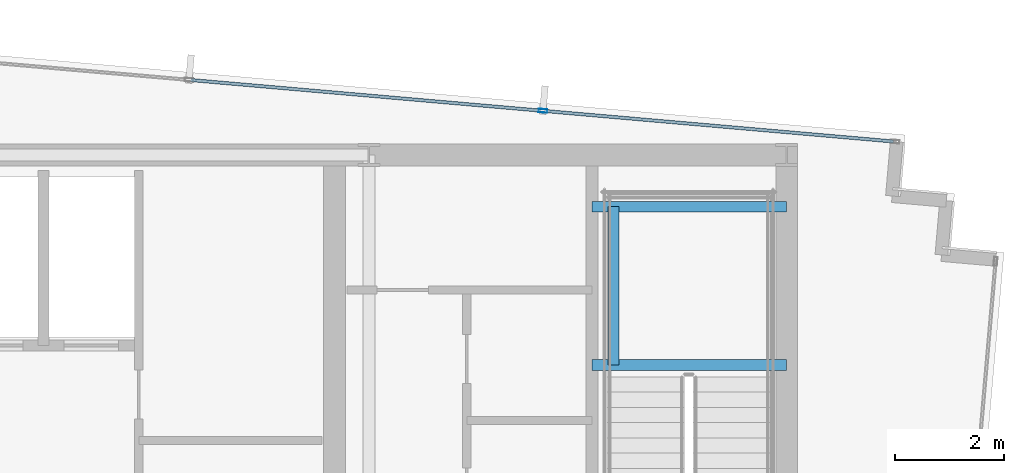
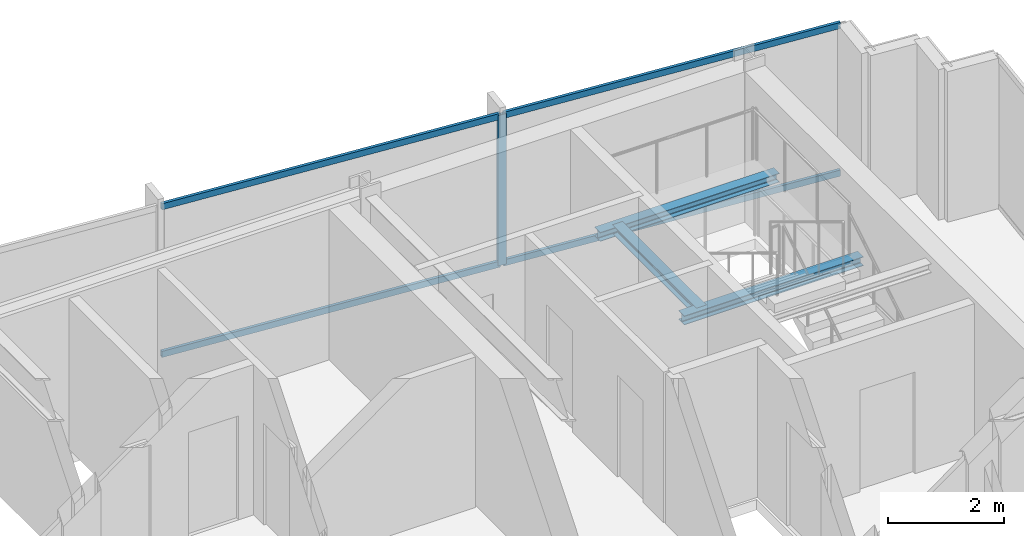
# One storey, part 20 of 32: 5 members, 3 beams, 1 element without a shape of its own.
"""IFC4 building model written with IfcOpenShell, lengths in metres."""

from ifc_helpers import new_model, si_unit, direction, frame, origin, origin_2d, place, context, subcontext, project, spatial, hollow_rectangle, i_section, extrude, material, material_profile, profile_set, type_object, element, aggregate, save


model = new_model("IFC4")

# Units and contexts
model_context = context("Model", 3, precision=1e-05, world=origin(), true_north=direction((0.0, 1.0)))
body_context = subcontext(model_context, "Body", "Model", "MODEL_VIEW")
ifc_project = project(units=[si_unit("LENGTHUNIT", "METRE"), si_unit("AREAUNIT", "SQUARE_METRE"), si_unit("VOLUMEUNIT", "CUBIC_METRE"), si_unit("PLANEANGLEUNIT", "RADIAN"), si_unit("MASSUNIT", "GRAM", prefix="KILO")], contexts=[model_context])

# Site, building, storey
site_placement = place(None, origin())
site = spatial("IfcSite", under=ifc_project, at=site_placement, CompositionType="ELEMENT")
building_placement = place(site_placement, origin())
building = spatial("IfcBuilding", under=site, at=building_placement, Name="Yelkora Congress Tower", CompositionType="ELEMENT")
storey_placement = place(building_placement, frame((0.0, 0.0, 276.10009765625)))
storey = spatial("IfcBuildingStorey", under=building, at=storey_placement, Name="L77", CompositionType="ELEMENT", Elevation=276.10009765625)

# Beams
ifc_material_1 = material(Name="Steel S355J2", Category="steel")
ifc_material_profile_1 = material_profile(ifc_material_1, i_section(OverallWidth=0.199951171875, OverallDepth=0.18994140625, WebThickness=0.006591796875, FlangeThickness=0.010009765625, FilletRadius=0.01806640625, at=origin_2d()), Name="HEA 200")
ifc_profile_set_1 = profile_set([ifc_material_profile_1], Name="Steel S355J2")
beam_type = type_object("IfcBeamType", Name="BM-LAND-HEA200", PredefinedType="BEAM", material=ifc_profile_set_1)
for number, where, z_axis, x_axis, name in (
    (1, (50.179931640625, 42.340087890625, 1.384521484375), (1.0, 0.0, 0.0), (0.0, 1.0, 0.0), "ST-02 L77 Landing Header Beam 1S"),
    (2, (50.179931640625, 45.25, 1.384521484375), (1.0, 0.0, 0.0), (0.0, 1.0, 0.0), "ST-02 L77 Landing Header Beam 1N"),
):
    element("IfcBeam", number, at=place(storey_placement, frame(where, z_axis=z_axis, x_axis=x_axis)), inside=storey, type_object=beam_type, Name=name, PredefinedType="BEAM", context=body_context, shape_type="SweptSolid", body=[
        extrude(i_section(OverallWidth=0.199951171875, OverallDepth=0.18994140625, WebThickness=0.006591796875, FlangeThickness=0.010009765625, FilletRadius=0.01806640625, at=origin_2d()), origin(), (0.0, 0.0, 1.0), 3.580078125),
    ])
beam_placement = place(storey_placement, frame((50.580078125, 42.340087890625, 1.384521484375), z_axis=(0.0, 1.0, 0.0), x_axis=(-1.0, 0.0, 0.0)))
element("IfcBeam", 3, at=beam_placement, inside=storey, type_object=beam_type, Name="ST-02 L77 Landing Trimmer Beam 1M", PredefinedType="BEAM", context=body_context, shape_type="SweptSolid", body=[
    extrude(i_section(OverallWidth=0.199951171875, OverallDepth=0.18994140625, WebThickness=0.006591796875, FlangeThickness=0.010009765625, FilletRadius=0.01806640625, at=origin_2d()), origin(), (0.0, 0.0, 1.0), 2.909912109375),
])

# Curtain wall, members
ifc_material_2 = material(Name="Anodised aluminium and insulated glass", Category="aluminium")
curtain_wall_type = type_object("IfcCurtainWallType", Name="CW-SYS-B5", PredefinedType="NOTDEFINED", material=ifc_material_2)
curtain_wall_placement = place(storey_placement, origin())
curtain_wall = element("IfcCurtainWall", 4, at=curtain_wall_placement, inside=storey, type_object=curtain_wall_type, Name="L77 Unitised Curtain Wall 10", PredefinedType="NOTDEFINED")
ifc_material_3 = material(Name="Anodised aluminium 6063-T6", Category="aluminium")
ifc_material_profile_2 = material_profile(ifc_material_3, hollow_rectangle(XDim=0.06494140625, YDim=0.159912109375, WallThickness=0.00390625, at=origin_2d()), Name="ALU 65x160x4")
ifc_profile_set_2 = profile_set([ifc_material_profile_2], Name="Anodised aluminium 6063-T6")
member_type_1 = type_object("IfcMemberType", Name="MEM-ML-B5", PredefinedType="MULLION", material=ifc_profile_set_2)
member_1_placement = place(storey_placement, frame((49.279541015625, 47.01220703125, 0.0), z_axis=(0.0, 0.0, 1.0), x_axis=(0.087156639893, 0.996194619601, 0.0)))
member_1 = element("IfcMember", 5, at=member_1_placement, type_object=member_type_1, Name="CW-B5 mullion 7", PredefinedType="MULLION", context=body_context, shape_type="SweptSolid", body=[
    extrude(hollow_rectangle(XDim=0.06494140625, YDim=0.159912109375, WallThickness=0.00390625, at=origin_2d()), origin(), (0.0, 0.0, 1.0), 3.179931640625),
])
ifc_material_profile_3 = material_profile(ifc_material_3, hollow_rectangle(XDim=0.06005859375, YDim=0.1298828125, WallThickness=0.00390625, at=origin_2d()), Name="ALU 60x130x4")
ifc_profile_set_3 = profile_set([ifc_material_profile_3], Name="Anodised aluminium 6063-T6")
member_type_2 = type_object("IfcMemberType", Name="MEM-TR-B5", PredefinedType="USERDEFINED", material=ifc_profile_set_3)
member_2_placement = place(storey_placement, frame((42.80517578125, 47.57861328125, 0.02978515625), z_axis=(0.996196257862, -0.087137912649, 0.0), x_axis=(0.087137912649, 0.996196257862, 0.0)))
member_2 = element("IfcMember", 6, at=member_2_placement, type_object=member_type_2, Name="CW-B5 transom 6.1", ObjectType="TRANSOM", PredefinedType="USERDEFINED", context=body_context, shape_type="SweptSolid", body=[
    extrude(hollow_rectangle(XDim=0.06005859375, YDim=0.1298828125, WallThickness=0.00390625, at=origin_2d()), origin(), (0.0, 0.0, 1.0), 6.466552734375),
])
member_3_placement = place(storey_placement, frame((42.80517578125, 47.57861328125, 3.14990234375), z_axis=(0.996196257862, -0.087137912649, 0.0), x_axis=(0.087137912649, 0.996196257862, 0.0)))
member_3 = element("IfcMember", 7, at=member_3_placement, type_object=member_type_2, Name="CW-B5 transom 6.2", ObjectType="TRANSOM", PredefinedType="USERDEFINED", context=body_context, shape_type="SweptSolid", body=[
    extrude(hollow_rectangle(XDim=0.06005859375, YDim=0.1298828125, WallThickness=0.00390625, at=origin_2d()), origin(), (0.0, 0.0, 1.0), 6.466552734375),
])
member_4_placement = place(storey_placement, frame((49.311767578125, 47.009521484375, 0.02978515625), z_axis=(0.996194170551, -0.08716177236, 0.0), x_axis=(0.08716177236, 0.996194170551, 0.0)))
member_4 = element("IfcMember", 8, at=member_4_placement, type_object=member_type_2, Name="CW-B5 transom 7.1", ObjectType="TRANSOM", PredefinedType="USERDEFINED", context=body_context, shape_type="SweptSolid", body=[
    extrude(hollow_rectangle(XDim=0.06005859375, YDim=0.1298828125, WallThickness=0.00390625, at=origin_2d()), origin(), (0.0, 0.0, 1.0), 6.433837890625),
])
member_5_placement = place(storey_placement, frame((49.311767578125, 47.009521484375, 3.14990234375), z_axis=(0.996194170551, -0.08716177236, 0.0), x_axis=(0.08716177236, 0.996194170551, 0.0)))
member_5 = element("IfcMember", 9, at=member_5_placement, type_object=member_type_2, Name="CW-B5 transom 7.2", ObjectType="TRANSOM", PredefinedType="USERDEFINED", context=body_context, shape_type="SweptSolid", body=[
    extrude(hollow_rectangle(XDim=0.06005859375, YDim=0.1298828125, WallThickness=0.00390625, at=origin_2d()), origin(), (0.0, 0.0, 1.0), 6.433837890625),
])
aggregate(curtain_wall, [member_1, member_2, member_3, member_4, member_5])

save(model, "model.ifc")
